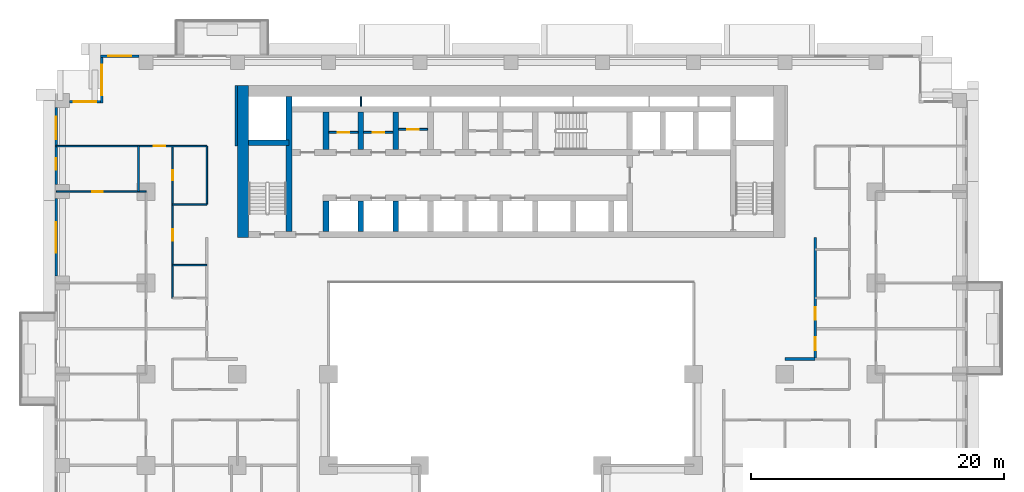
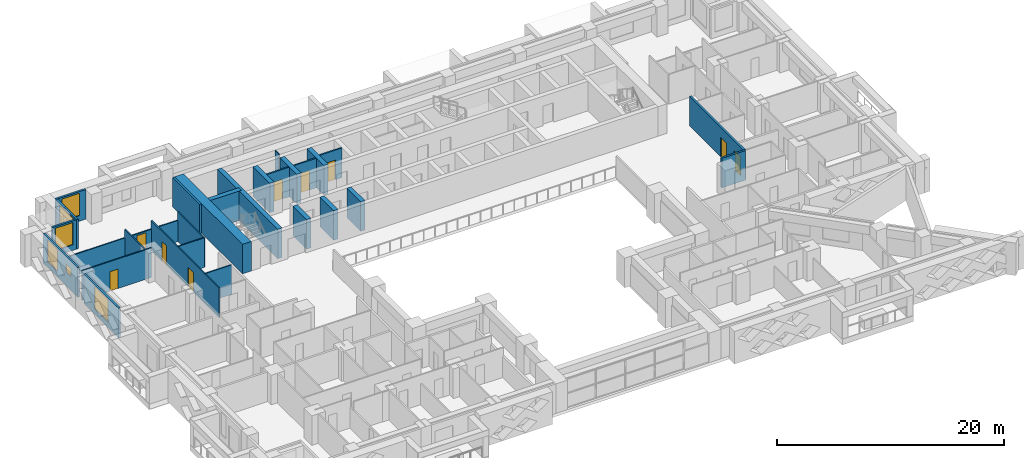
# One storey, part 9 of 17: 28 walls, 9 doors, 6 windows, 15 openings.
"""IFC4 building model written with IfcOpenShell, lengths in metres."""

import ifcopenshell
import ifcopenshell.guid

model = None  # the IFC model being written
_history = None  # IfcOwnerHistory: only IFC2X3 demands one
_inside = {}  # id of a spatial element -> (the spatial element, [elements in it])
_under = {}  # id of a project, library or spatial element -> (it, [spatial elements below it])
_declared = {}  # id of a project -> (the project, [libraries it declares])
_typed = {}  # id of a type object -> (the type object, [elements of that type])
_made_of = {}  # id of a material, layer set ... -> (it, [elements and type objects made of it])


def new_model(schema):
    """Start an empty IFC model of exactly this schema.

    Asked for "IFC4X3", IfcOpenShell would pick the latest addendum, in which some entities
    have other attributes; the version numbers below select the first issue.
    IFC2X3 requires an IfcOwnerHistory on every rooted entity: one is made here for all.
    """
    global model, _history
    if schema == "IFC4X3":
        model = ifcopenshell.file(schema_version=(4, 3, 0, 0))
    else:
        model = ifcopenshell.file(schema=schema)
    _inside.clear()
    _under.clear()
    _declared.clear()
    _typed.clear()
    _made_of.clear()
    _history = None
    if model.schema == "IFC2X3":
        org = make("IfcOrganization", Name="unknown")
        user = make(
            "IfcPersonAndOrganization",
            ThePerson=make("IfcPerson", FamilyName="unknown"),
            TheOrganization=org,
        )
        app = make(
            "IfcApplication",
            ApplicationDeveloper=org,
            Version="unknown",
            ApplicationFullName="unknown",
            ApplicationIdentifier="unknown",
        )
        _history = make(
            "IfcOwnerHistory",
            OwningUser=user,
            OwningApplication=app,
            ChangeAction="ADDED",
            CreationDate=0,
        )
    return model


def make(cls, **values):
    """One entity of the class cls with the attributes given. An attribute that is None is left unset."""
    return model.create_entity(
        cls, **{name: value for name, value in values.items() if value is not None}
    )


def rooted(cls, **values):
    """An entity with a GlobalId (a new one), such as an element, a storey or a relation."""
    return make(cls, GlobalId=ifcopenshell.guid.new(), OwnerHistory=_history, **values)


def si_unit(unit_type, name, prefix=None):
    """IfcSIUnit, for example si_unit("LENGTHUNIT", "METRE", prefix="MILLI")."""
    return make("IfcSIUnit", UnitType=unit_type, Prefix=prefix, Name=name)


def assignment(units):
    """IfcUnitAssignment: the units of a project."""
    return None if units is None else make("IfcUnitAssignment", Units=units)


def point(xyz):
    """IfcCartesianPoint."""
    return None if xyz is None else make("IfcCartesianPoint", Coordinates=xyz)


def direction(xyz):
    """IfcDirection."""
    return None if xyz is None else make("IfcDirection", DirectionRatios=xyz)


def frame(location, z_axis=None, x_axis=None):
    """IfcAxis2Placement3D, a coordinate frame: its origin and axes. An axis left out is left unset."""
    return make(
        "IfcAxis2Placement3D",
        Location=point(location),
        Axis=direction(z_axis),
        RefDirection=direction(x_axis),
    )


def frame_2d(location, x_axis=None):
    """IfcAxis2Placement2D, a coordinate frame in the plane: its origin and x axis."""
    return make(
        "IfcAxis2Placement2D", Location=point(location), RefDirection=direction(x_axis)
    )


def origin():
    """The frame at (0, 0, 0) with its axes left unset."""
    return frame((0.0, 0.0, 0.0))


def place(relative_to, where):
    """IfcLocalPlacement: puts the frame where relative to a parent placement (None: the world)."""
    return make(
        "IfcLocalPlacement", PlacementRelTo=relative_to, RelativePlacement=where
    )


def context(
    kind, dimensions, precision=None, world=None, true_north=None, identifier=None
):
    """IfcGeometricRepresentationContext, for example the 3D "Model" context."""
    return make(
        "IfcGeometricRepresentationContext",
        ContextIdentifier=identifier,
        ContextType=kind,
        CoordinateSpaceDimension=dimensions,
        Precision=precision,
        WorldCoordinateSystem=world,
        TrueNorth=true_north,
    )


def subcontext(parent, identifier, kind, view, scale=None):
    """IfcGeometricRepresentationSubContext, for example "Body" below "Model"."""
    return make(
        "IfcGeometricRepresentationSubContext",
        ContextIdentifier=identifier,
        ContextType=kind,
        ParentContext=parent,
        TargetScale=scale,
        TargetView=view,
    )


def project(units=None, contexts=None):
    """IfcProject with its units and contexts."""
    return rooted(
        "IfcProject",
        Name="project",
        RepresentationContexts=contexts,
        UnitsInContext=assignment(units),
    )


def spatial(cls, under=None, at=None, **own):
    """A site, building, storey or space (cls), placed at a placement, below another one or the project."""
    s = rooted(cls, ObjectPlacement=at, **own)
    if under is not None:
        _under.setdefault(under.id(), (under, []))[1].append(s)
    return s


def profile(cls, at=None, kind="AREA", **sizes):
    """A parametric profile (cls). Its sizes go by their IFC names, for example OverallWidth=200.0."""
    return make(cls, ProfileType=kind, Position=at, **sizes)


def rectangle(**sizes):
    """IfcRectangleProfileDef."""
    return profile("IfcRectangleProfileDef", **sizes)


def extrude(swept, where, along, depth):
    """IfcExtrudedAreaSolid: the profile swept, set in the frame where, extruded along a direction by depth."""
    return make(
        "IfcExtrudedAreaSolid",
        SweptArea=swept,
        Position=where,
        ExtrudedDirection=direction(along),
        Depth=depth,
    )


def shape(context_of_items, identifier, shape_type, items):
    """IfcShapeRepresentation: the items that make up one representation, for example the "Body"."""
    return make(
        "IfcShapeRepresentation",
        ContextOfItems=context_of_items,
        RepresentationIdentifier=identifier,
        RepresentationType=shape_type,
        Items=items,
    )


def material(Name=None, Category=None):
    """IfcMaterial."""
    return make("IfcMaterial", Name=Name, Category=Category)


def layer(
    of_material, thickness, ventilated=None, Name=None, Category=None, Priority=None
):
    """IfcMaterialLayer: one layer of a wall or slab, of a material (None: an air gap)."""
    return make(
        "IfcMaterialLayer",
        Material=of_material,
        LayerThickness=thickness,
        IsVentilated=ventilated,
        Name=Name,
        Category=Category,
        Priority=Priority,
    )


def layer_set(layers, Name=None):
    """IfcMaterialLayerSet."""
    return make("IfcMaterialLayerSet", MaterialLayers=layers, LayerSetName=Name)


def made_of(thing, what):
    """Note that an element or type object is made of a material, layer set ...; save() writes the relation."""
    if what is not None:
        _made_of.setdefault(what.id(), (what, []))[1].append(thing)
    return thing


def type_object(cls, material=None, **own):
    """A type object (cls), such as IfcWallType, which elements share."""
    return made_of(rooted(cls, **own), material)


def element(
    cls,
    number,
    at=None,
    inside=None,
    cuts=None,
    type_object=None,
    material=None,
    context=None,
    identifier="Body",
    shape_type=None,
    held_by="IfcProductDefinitionShape",
    body=None,
    shapes=None,
    **own,
):
    """One element of the class cls, such as IfcWall. Its Tag is "e" and its number.

    at: its placement. inside: the storey or other place that contains it. cuts: it is an
    opening in that element (IfcRelVoidsElement). A single representation is given by context,
    identifier, shape_type and body (its items); several are given by shapes. held_by: the class
    of the entity that holds the representations. save() writes the other relations.
    """
    e = rooted(cls, Tag="e%d" % number, ObjectPlacement=at, **own)
    if body is not None:
        shapes = [shape(context, identifier, shape_type, body)]
    if shapes is not None:
        e.Representation = make(held_by, Representations=shapes)
    if inside is not None:
        _inside.setdefault(inside.id(), (inside, []))[1].append(e)
    if cuts is not None:
        rooted(
            "IfcRelVoidsElement", RelatingBuildingElement=cuts, RelatedOpeningElement=e
        )
    if type_object is not None:
        _typed.setdefault(type_object.id(), (type_object, []))[1].append(e)
    return made_of(e, material)


def fill(opening, filler):
    """IfcRelFillsElement: the door or window that sits in an opening."""
    return rooted(
        "IfcRelFillsElement",
        RelatingOpeningElement=opening,
        RelatedBuildingElement=filler,
    )


def aggregate(whole, parts):
    """IfcRelAggregates: a whole, such as a stair, and the parts it consists of."""
    return rooted("IfcRelAggregates", RelatingObject=whole, RelatedObjects=parts)


def save(model, path):
    """Write the relations noted so far, then the file.

    IfcRelAggregates (storeys below a building ...), IfcRelContainedInSpatialStructure (elements
    in a storey), IfcRelDefinesByType, IfcRelAssociatesMaterial and IfcRelDeclares: one each for
    every whole, place, type object, material and project.
    """
    for whole, parts in _under.values():
        aggregate(whole, parts)
    for where, things in _inside.values():
        rooted(
            "IfcRelContainedInSpatialStructure",
            RelatedElements=things,
            RelatingStructure=where,
        )
    for kind, things in _typed.values():
        rooted("IfcRelDefinesByType", RelatedObjects=things, RelatingType=kind)
    for what, things in _made_of.values():
        rooted("IfcRelAssociatesMaterial", RelatedObjects=things, RelatingMaterial=what)
    for by, libraries in _declared.values():
        rooted("IfcRelDeclares", RelatingContext=by, RelatedDefinitions=libraries)
    model.write(path)


model = new_model("IFC4")

# Units and contexts
model_context = context("Model", 3, precision=1e-05, world=origin(), true_north=direction((0.0, 1.0)))
body_context = subcontext(model_context, "Body", "Model", "MODEL_VIEW")
ifc_project = project(units=[si_unit("LENGTHUNIT", "METRE"), si_unit("AREAUNIT", "SQUARE_METRE"), si_unit("VOLUMEUNIT", "CUBIC_METRE"), si_unit("PLANEANGLEUNIT", "RADIAN"), si_unit("MASSUNIT", "GRAM", prefix="KILO")], contexts=[model_context])

# Site, building, storey
site_placement = place(None, origin())
site = spatial("IfcSite", under=ifc_project, at=site_placement, CompositionType="ELEMENT")
building_placement = place(site_placement, origin())
building = spatial("IfcBuilding", under=site, at=building_placement, Name="Saffron Iwan Residences", CompositionType="ELEMENT")
storey_placement = place(building_placement, frame((0.0, 0.0, 51.5)))
storey = spatial("IfcBuildingStorey", under=building, at=storey_placement, Name="L12", CompositionType="ELEMENT", Elevation=51.5)

# Wall, opening, door
ifc_material_1 = material(Name="Fire-rated plasterboard partition")
ifc_layer_1 = layer(ifc_material_1, 0.14990234375)
ifc_layer_set_1 = layer_set([ifc_layer_1], Name="Fire-rated plasterboard partition")
wall_type_1 = type_object("IfcWallType", Name="Core partition 150", PredefinedType="PARTITIONING", material=ifc_layer_set_1)
wall_1_placement = place(storey_placement, frame((36.02490234375, 74.281982421875, 0.0), z_axis=(0.0, 0.0, 1.0), x_axis=(1.0, 0.0, 0.0)))
wall_1 = element("IfcWall", 1, at=wall_1_placement, inside=storey, type_object=wall_type_1, Name="Core partition P01", PredefinedType="PARTITIONING", context=body_context, shape_type="SweptSolid", body=[
    extrude(rectangle(XDim=2.300048828125, YDim=0.14990234375, at=frame_2d((1.14990234375, 0.0))), origin(), (0.0, 0.0, 1.0), 3.179931640625),
])
opening_1_placement = place(wall_1_placement, frame((0.699951171875, 0.0, 0.0)))
opening_1 = element("IfcOpeningElement", 2, at=opening_1_placement, cuts=wall_1, Name="Opening SB", PredefinedType="OPENING", context=body_context, shape_type="SweptSolid", body=[
    extrude(rectangle(XDim=0.89990234375, YDim=2.10009765625, at=frame_2d((0.449951171875, 1.050048828125))), frame((0.0, 0.0849609375, 0.0), z_axis=(0.0, -1.0, 0.0), x_axis=(1.0, 0.0, 0.0)), (0.0, 0.0, 1.0), 0.169921875),
])
ifc_material_2 = material(Name="Steel fire door", Category="steel")
door_type_1 = type_object("IfcDoorType", Name="Store door 900", OperationType="NOTDEFINED", PredefinedType="DOOR", material=ifc_material_2)
door_1_placement = place(opening_1_placement, origin())
door_1 = element("IfcDoor", 3, at=door_1_placement, inside=storey, type_object=door_type_1, Name="Door Tool store", OperationType="SINGLE_SWING_LEFT", OverallHeight=2.10009765625, OverallWidth=0.89990234375, PredefinedType="DOOR", context=body_context, shape_type="SweptSolid", body=[
    extrude(rectangle(XDim=0.89990234375, YDim=2.10009765625, at=frame_2d((0.449951171875, 1.050048828125))), frame((0.0, 0.02490234375, 0.0), z_axis=(0.0, -1.0, 0.0), x_axis=(1.0, 0.0, 0.0)), (0.0, 0.0, 1.0), 0.050048828125),
])
fill(opening_1, door_1)

wall_2_placement = place(storey_placement, frame((38.77490234375, 74.281982421875, 0.0), z_axis=(0.0, 0.0, 1.0), x_axis=(1.0, 0.0, 0.0)))
wall_2 = element("IfcWall", 4, at=wall_2_placement, inside=storey, type_object=wall_type_1, Name="Core partition P02", PredefinedType="PARTITIONING", context=body_context, shape_type="SweptSolid", body=[
    extrude(rectangle(XDim=2.300048828125, YDim=0.14990234375, at=frame_2d((1.14990234375, 0.0))), origin(), (0.0, 0.0, 1.0), 3.179931640625),
])
opening_2_placement = place(wall_2_placement, frame((0.699951171875, 0.0, 0.0)))
opening_2 = element("IfcOpeningElement", 5, at=opening_2_placement, cuts=wall_2, Name="Opening SB", PredefinedType="OPENING", context=body_context, shape_type="SweptSolid", body=[
    extrude(rectangle(XDim=0.89990234375, YDim=2.10009765625, at=frame_2d((0.449951171875, 1.050048828125))), frame((0.0, 0.0849609375, 0.0), z_axis=(0.0, -1.0, 0.0), x_axis=(1.0, 0.0, 0.0)), (0.0, 0.0, 1.0), 0.169921875),
])
door_2_placement = place(opening_2_placement, origin())
door_2 = element("IfcDoor", 6, at=door_2_placement, inside=storey, type_object=door_type_1, Name="Door Cabling room", OperationType="SINGLE_SWING_RIGHT", OverallHeight=2.10009765625, OverallWidth=0.89990234375, PredefinedType="DOOR", context=body_context, shape_type="SweptSolid", body=[
    extrude(rectangle(XDim=0.89990234375, YDim=2.10009765625, at=frame_2d((0.449951171875, 1.050048828125))), frame((0.0, 0.02490234375, 0.0), z_axis=(0.0, -1.0, 0.0), x_axis=(1.0, 0.0, 0.0)), (0.0, 0.0, 1.0), 0.050048828125),
])
fill(opening_2, door_2)

wall_3_placement = place(storey_placement, frame((41.52490234375, 74.51806640625, 0.0), z_axis=(0.0, 0.0, 1.0), x_axis=(1.0, 0.0, 0.0)))
wall_3 = element("IfcWall", 7, at=wall_3_placement, inside=storey, type_object=wall_type_1, Name="Core partition P03", PredefinedType="PARTITIONING", context=body_context, shape_type="SweptSolid", body=[
    extrude(rectangle(XDim=2.300048828125, YDim=0.14990234375, at=frame_2d((1.14990234375, 0.0))), origin(), (0.0, 0.0, 1.0), 3.179931640625),
])
opening_3_placement = place(wall_3_placement, frame((0.699951171875, 0.0, 0.0)))
opening_3 = element("IfcOpeningElement", 8, at=opening_3_placement, cuts=wall_3, Name="Opening SB", PredefinedType="OPENING", context=body_context, shape_type="SweptSolid", body=[
    extrude(rectangle(XDim=0.89990234375, YDim=2.10009765625, at=frame_2d((0.449951171875, 1.050048828125))), frame((0.0, 0.0849609375, 0.0), z_axis=(0.0, -1.0, 0.0), x_axis=(1.0, 0.0, 0.0)), (0.0, 0.0, 1.0), 0.169921875),
])
door_3_placement = place(opening_3_placement, origin())
door_3 = element("IfcDoor", 9, at=door_3_placement, inside=storey, type_object=door_type_1, Name="Door Equipment store", OperationType="SINGLE_SWING_RIGHT", OverallHeight=2.10009765625, OverallWidth=0.89990234375, PredefinedType="DOOR", context=body_context, shape_type="SweptSolid", body=[
    extrude(rectangle(XDim=0.89990234375, YDim=2.10009765625, at=frame_2d((0.449951171875, 1.050048828125))), frame((0.0, 0.02490234375, 0.0), z_axis=(0.0, -1.0, 0.0), x_axis=(1.0, 0.0, 0.0)), (0.0, 0.0, 1.0), 0.050048828125),
])
fill(opening_3, door_3)

# Wall, opening, window
ifc_material_3 = material(Name="Concrete C40/50", Category="concrete")
ifc_layer_2 = layer(ifc_material_3, 0.199951171875)
ifc_layer_set_2 = layer_set([ifc_layer_2], Name="Concrete C40/50")
wall_type_2 = type_object("IfcWallType", Name="EXTERNAL WALL 200", PredefinedType="SOLIDWALL", material=ifc_layer_set_2)
wall_4_placement = place(storey_placement, frame((21.050048828125, 80.300048828125, 0.0), z_axis=(0.0, 0.0, 1.0), x_axis=(-1.0, 0.0, 0.0)))
wall_4 = element("IfcWall", 10, at=wall_4_placement, inside=storey, type_object=wall_type_2, Name="External wall L12 F5.9", PredefinedType="SOLIDWALL", context=body_context, shape_type="SweptSolid", body=[
    extrude(rectangle(XDim=3.050048828125, YDim=0.199951171875, at=frame_2d((1.52490234375, 0.0))), origin(), (0.0, 0.0, 1.0), 3.179931640625),
])
opening_4_placement = place(wall_4_placement, frame((0.625, 0.0, 0.60009765625)))
opening_4 = element("IfcOpeningElement", 11, at=opening_4_placement, cuts=wall_4, Name="Opening W8", PredefinedType="OPENING", context=body_context, shape_type="SweptSolid", body=[
    extrude(rectangle(XDim=1.800048828125, YDim=2.39990234375, at=frame_2d((0.89990234375, 1.199951171875))), frame((0.0, 0.10986328125, 0.0), z_axis=(0.0, -1.0, 0.0), x_axis=(1.0, 0.0, 0.0)), (0.0, 0.0, 1.0), 0.219970703125),
])
ifc_material_4 = material(Name="Clear glass, laminated double glazed", Category="glass")
window_type_1 = type_object("IfcWindowType", Name="WINDOW 1800 x 2400", PartitioningType="DOUBLE_PANEL_VERTICAL", PredefinedType="WINDOW", material=ifc_material_4)
window_1_placement = place(opening_4_placement, origin())
window_1 = element("IfcWindow", 12, at=window_1_placement, inside=storey, type_object=window_type_1, Name="Window L12 F5.0", OverallHeight=2.39990234375, OverallWidth=1.800048828125, PartitioningType="DOUBLE_PANEL_VERTICAL", PredefinedType="WINDOW", context=body_context, shape_type="SweptSolid", body=[
    extrude(rectangle(XDim=1.800048828125, YDim=2.39990234375, at=frame_2d((0.89990234375, 1.199951171875))), frame((0.0, 0.030029296875, 0.0), z_axis=(0.0, -1.0, 0.0), x_axis=(1.0, 0.0, 0.0)), (0.0, 0.0, 1.0), 0.06005859375),
])
fill(opening_4, window_1)

wall_5_placement = place(storey_placement, frame((18.10009765625, 80.199951171875, 0.0), z_axis=(0.0, 0.0, 1.0), x_axis=(0.0, -1.0, 0.0)))
wall_5 = element("IfcWall", 13, at=wall_5_placement, inside=storey, type_object=wall_type_2, Name="External wall L12 F6.0", PredefinedType="SOLIDWALL", context=body_context, shape_type="SweptSolid", body=[
    extrude(rectangle(XDim=3.599853515625, YDim=0.199951171875, at=frame_2d((1.7998046875, 0.0))), origin(), (0.0, 0.0, 1.0), 3.179931640625),
])
opening_5_placement = place(wall_5_placement, frame((0.60009765625, 0.0, 0.60009765625)))
opening_5 = element("IfcOpeningElement", 14, at=opening_5_placement, cuts=wall_5, Name="Opening W1", PredefinedType="OPENING", context=body_context, shape_type="SweptSolid", body=[
    extrude(rectangle(XDim=2.39990234375, YDim=2.39990234375, at=frame_2d((1.199951171875, 1.199951171875))), frame((0.0, 0.10986328125, 0.0), z_axis=(0.0, -1.0, 0.0), x_axis=(1.0, 0.0, 0.0)), (0.0, 0.0, 1.0), 0.219970703125),
])
window_type_2 = type_object("IfcWindowType", Name="WINDOW 2400 x 2400", PartitioningType="DOUBLE_PANEL_VERTICAL", PredefinedType="WINDOW", material=ifc_material_4)
window_2_placement = place(opening_5_placement, origin())
window_2 = element("IfcWindow", 15, at=window_2_placement, inside=storey, type_object=window_type_2, Name="Window L12 F6.0", OverallHeight=2.39990234375, OverallWidth=2.39990234375, PartitioningType="DOUBLE_PANEL_VERTICAL", PredefinedType="WINDOW", context=body_context, shape_type="SweptSolid", body=[
    extrude(rectangle(XDim=2.39990234375, YDim=2.39990234375, at=frame_2d((1.199951171875, 1.199951171875))), frame((0.0, 0.030029296875, 0.0), z_axis=(0.0, -1.0, 0.0), x_axis=(1.0, 0.0, 0.0)), (0.0, 0.0, 1.0), 0.06005859375),
])
fill(opening_5, window_2)

wall_6_placement = place(storey_placement, frame((18.0, 76.699951171875, 0.0), z_axis=(0.0, 0.0, 1.0), x_axis=(-1.0, 0.0, 0.0)))
wall_6 = element("IfcWall", 16, at=wall_6_placement, inside=storey, type_object=wall_type_2, Name="External wall L12 F7.0", PredefinedType="SOLIDWALL", context=body_context, shape_type="SweptSolid", body=[
    extrude(rectangle(XDim=2.449951171875, YDim=0.199951171875, at=frame_2d((1.22509765625, 0.0))), origin(), (0.0, 0.0, 1.0), 3.179931640625),
])
opening_6_placement = place(wall_6_placement, frame((0.324951171875, 0.0, 0.60009765625)))
opening_6 = element("IfcOpeningElement", 17, at=opening_6_placement, cuts=wall_6, Name="Opening W8", PredefinedType="OPENING", context=body_context, shape_type="SweptSolid", body=[
    extrude(rectangle(XDim=1.800048828125, YDim=2.39990234375, at=frame_2d((0.89990234375, 1.199951171875))), frame((0.0, 0.10986328125, 0.0), z_axis=(0.0, -1.0, 0.0), x_axis=(1.0, 0.0, 0.0)), (0.0, 0.0, 1.0), 0.219970703125),
])
window_3_placement = place(opening_6_placement, origin())
window_3 = element("IfcWindow", 18, at=window_3_placement, inside=storey, type_object=window_type_1, Name="Window L12 F7.0", OverallHeight=2.39990234375, OverallWidth=1.800048828125, PartitioningType="DOUBLE_PANEL_VERTICAL", PredefinedType="WINDOW", context=body_context, shape_type="SweptSolid", body=[
    extrude(rectangle(XDim=1.800048828125, YDim=2.39990234375, at=frame_2d((0.89990234375, 1.199951171875))), frame((0.0, 0.030029296875, 0.0), z_axis=(0.0, -1.0, 0.0), x_axis=(1.0, 0.0, 0.0)), (0.0, 0.0, 1.0), 0.06005859375),
])
fill(opening_6, window_3)

# Wall, openings, windows
wall_7_placement = place(storey_placement, frame((14.5, 76.25, 0.0), z_axis=(0.0, 0.0, 1.0), x_axis=(0.0, -1.0, 0.0)))
wall_7 = element("IfcWall", 19, at=wall_7_placement, inside=storey, type_object=wall_type_2, Name="External wall L12 F8.0", PredefinedType="SOLIDWALL", context=body_context, shape_type="SweptSolid", body=[
    extrude(rectangle(XDim=6.10009765625, YDim=0.199951171875, at=frame_2d((3.050048828125, 0.0))), origin(), (0.0, 0.0, 1.0), 3.179931640625),
])
opening_7_placement = place(wall_7_placement, frame((4.02490234375, 0.0, 1.5)))
opening_7 = element("IfcOpeningElement", 20, at=opening_7_placement, cuts=wall_7, Name="Opening W6", PredefinedType="OPENING", context=body_context, shape_type="SweptSolid", body=[
    extrude(rectangle(XDim=0.89990234375, YDim=0.89990234375, at=frame_2d((0.449951171875, 0.449951171875))), frame((0.0, 0.10986328125, 0.0), z_axis=(0.0, -1.0, 0.0), x_axis=(1.0, 0.0, 0.0)), (0.0, 0.0, 1.0), 0.219970703125),
])
opening_8_placement = place(wall_7_placement, frame((0.72509765625, 0.0, 0.60009765625)))
opening_8 = element("IfcOpeningElement", 21, at=opening_8_placement, cuts=wall_7, Name="Opening W8", PredefinedType="OPENING", context=body_context, shape_type="SweptSolid", body=[
    extrude(rectangle(XDim=1.800048828125, YDim=2.39990234375, at=frame_2d((0.89990234375, 1.199951171875))), frame((0.0, 0.10986328125, 0.0), z_axis=(0.0, -1.0, 0.0), x_axis=(1.0, 0.0, 0.0)), (0.0, 0.0, 1.0), 0.219970703125),
])
window_4_placement = place(opening_8_placement, origin())
window_4 = element("IfcWindow", 22, at=window_4_placement, inside=storey, type_object=window_type_1, Name="Window L12 F8.1", OverallHeight=2.39990234375, OverallWidth=1.800048828125, PartitioningType="DOUBLE_PANEL_VERTICAL", PredefinedType="WINDOW", context=body_context, shape_type="SweptSolid", body=[
    extrude(rectangle(XDim=1.800048828125, YDim=2.39990234375, at=frame_2d((0.89990234375, 1.199951171875))), frame((0.0, 0.030029296875, 0.0), z_axis=(0.0, -1.0, 0.0), x_axis=(1.0, 0.0, 0.0)), (0.0, 0.0, 1.0), 0.06005859375),
])
fill(opening_8, window_4)
window_type_3 = type_object("IfcWindowType", Name="WINDOW 900 x 900 BATH", PartitioningType="SINGLE_PANEL", PredefinedType="WINDOW", material=ifc_material_4)
window_5_placement = place(opening_7_placement, origin())
window_5 = element("IfcWindow", 23, at=window_5_placement, inside=storey, type_object=window_type_3, Name="Window L12 F8.0", OverallHeight=0.89990234375, OverallWidth=0.89990234375, PartitioningType="SINGLE_PANEL", PredefinedType="WINDOW", context=body_context, shape_type="SweptSolid", body=[
    extrude(rectangle(XDim=0.89990234375, YDim=0.89990234375, at=frame_2d((0.449951171875, 0.449951171875))), frame((0.0, 0.030029296875, 0.0), z_axis=(0.0, -1.0, 0.0), x_axis=(1.0, 0.0, 0.0)), (0.0, 0.0, 1.0), 0.06005859375),
])
fill(opening_7, window_5)

# Wall, opening, window
wall_8_placement = place(storey_placement, frame((14.5, 69.050048828125, 0.0), z_axis=(0.0, 0.0, 1.0), x_axis=(0.0, -1.0, 0.0)))
wall_8 = element("IfcWall", 24, at=wall_8_placement, inside=storey, type_object=wall_type_2, Name="External wall L12 F8.1", PredefinedType="SOLIDWALL", context=body_context, shape_type="SweptSolid", body=[
    extrude(rectangle(XDim=6.10009765625, YDim=0.199951171875, at=frame_2d((3.050048828125, 0.0))), origin(), (0.0, 0.0, 1.0), 3.179931640625),
])
opening_9_placement = place(wall_8_placement, frame((1.85009765625, 0.0, 0.60009765625)))
opening_9 = element("IfcOpeningElement", 25, at=opening_9_placement, cuts=wall_8, Name="Opening W1", PredefinedType="OPENING", context=body_context, shape_type="SweptSolid", body=[
    extrude(rectangle(XDim=2.39990234375, YDim=2.39990234375, at=frame_2d((1.199951171875, 1.199951171875))), frame((0.0, 0.10986328125, 0.0), z_axis=(0.0, -1.0, 0.0), x_axis=(1.0, 0.0, 0.0)), (0.0, 0.0, 1.0), 0.219970703125),
])
window_6_placement = place(opening_9_placement, origin())
window_6 = element("IfcWindow", 26, at=window_6_placement, inside=storey, type_object=window_type_2, Name="Window L12 F8.0", OverallHeight=2.39990234375, OverallWidth=2.39990234375, PartitioningType="DOUBLE_PANEL_VERTICAL", PredefinedType="WINDOW", context=body_context, shape_type="SweptSolid", body=[
    extrude(rectangle(XDim=2.39990234375, YDim=2.39990234375, at=frame_2d((1.199951171875, 1.199951171875))), frame((0.0, 0.030029296875, 0.0), z_axis=(0.0, -1.0, 0.0), x_axis=(1.0, 0.0, 0.0)), (0.0, 0.0, 1.0), 0.06005859375),
])
fill(opening_9, window_6)

# Walls
ifc_material_5 = material(Name="Gypsum board partition")
ifc_layer_3 = layer(ifc_material_5, 0.1201171875)
ifc_layer_set_3 = layer_set([ifc_layer_3], Name="Gypsum board partition")
wall_type_3 = type_object("IfcWallType", Name="Flat partition 120", PredefinedType="PARTITIONING", material=ifc_layer_set_3)
for number, where, z_axis, x_axis, name in (
    (27, (23.699951171875, 63.800048828125, 0.0), (0.0, 0.0, 1.0), (1.0, 0.0, 0.0), "W-L12-PART-h63.8-23.7"),
    (28, (23.699951171875, 68.60009765625, 0.0), (0.0, 0.0, 1.0), (1.0, 0.0, 0.0), "W-L12-PART-h68.6-23.7"),
):
    element("IfcWall", number, at=place(storey_placement, frame(where, z_axis=z_axis, x_axis=x_axis)), inside=storey, type_object=wall_type_3, Name=name, PredefinedType="PARTITIONING", context=body_context, shape_type="SweptSolid", body=[
        extrude(rectangle(XDim=2.699951171875, YDim=0.1201171875, at=frame_2d((1.35009765625, 0.0))), origin(), (0.0, 0.0, 1.0), 3.179931640625),
    ])

# Wall, opening, door
wall_9_placement = place(storey_placement, frame((14.52490234375, 69.60009765625, 0.0), z_axis=(0.0, 0.0, 1.0), x_axis=(1.0, 0.0, 0.0)))
wall_9 = element("IfcWall", 29, at=wall_9_placement, inside=storey, type_object=wall_type_3, Name="W-L12-PART-h69.6-14.525", PredefinedType="PARTITIONING", context=body_context, shape_type="SweptSolid", body=[
    extrude(rectangle(XDim=7.0751953125, YDim=0.1201171875, at=frame_2d((3.53759765625, 0.0))), origin(), (0.0, 0.0, 1.0), 3.179931640625),
])
opening_10_placement = place(wall_9_placement, frame((2.83740234375, 0.0, 0.0)))
opening_10 = element("IfcOpeningElement", 30, at=opening_10_placement, cuts=wall_9, Name="Opening FD3", PredefinedType="OPENING", context=body_context, shape_type="SweptSolid", body=[
    extrude(rectangle(XDim=0.800048828125, YDim=2.10009765625, at=frame_2d((0.39990234375, 1.050048828125))), frame((0.0, 0.070068359375, 0.0), z_axis=(0.0, -1.0, 0.0), x_axis=(1.0, 0.0, 0.0)), (0.0, 0.0, 1.0), 0.14013671875),
])
ifc_material_6 = material(Name="Timber door", Category="wood")
door_type_2 = type_object("IfcDoorType", Name="Bathroom door 800", OperationType="NOTDEFINED", PredefinedType="DOOR", material=ifc_material_6)
door_4_placement = place(opening_10_placement, origin())
door_4 = element("IfcDoor", 31, at=door_4_placement, inside=storey, type_object=door_type_2, Name="Door L12-031", OperationType="SINGLE_SWING_RIGHT", OverallHeight=2.10009765625, OverallWidth=0.800048828125, PredefinedType="DOOR", context=body_context, shape_type="SweptSolid", body=[
    extrude(rectangle(XDim=0.800048828125, YDim=2.10009765625, at=frame_2d((0.39990234375, 1.050048828125))), frame((0.0, 0.02490234375, 0.0), z_axis=(0.0, -1.0, 0.0), x_axis=(1.0, 0.0, 0.0)), (0.0, 0.0, 1.0), 0.050048828125),
])
fill(opening_10, door_4)

wall_10_placement = place(storey_placement, frame((14.52490234375, 73.199951171875, 0.0), z_axis=(0.0, 0.0, 1.0), x_axis=(1.0, 0.0, 0.0)))
wall_10 = element("IfcWall", 32, at=wall_10_placement, inside=storey, type_object=wall_type_3, Name="W-L12-PART-h73.2-14.525", PredefinedType="PARTITIONING", context=body_context, shape_type="SweptSolid", body=[
    extrude(rectangle(XDim=11.875, YDim=0.1201171875, at=frame_2d((5.9375, 0.0))), origin(), (0.0, 0.0, 1.0), 2.280029296875),
])
opening_11_placement = place(wall_10_placement, frame((7.675048828125, 0.0, 0.0)))
opening_11 = element("IfcOpeningElement", 33, at=opening_11_placement, cuts=wall_10, Name="Opening FD2", PredefinedType="OPENING", context=body_context, shape_type="SweptSolid", body=[
    extrude(rectangle(XDim=0.89990234375, YDim=2.10009765625, at=frame_2d((0.449951171875, 1.050048828125))), frame((0.0, 0.070068359375, 0.0), z_axis=(0.0, -1.0, 0.0), x_axis=(1.0, 0.0, 0.0)), (0.0, 0.0, 1.0), 0.14013671875),
])
door_type_3 = type_object("IfcDoorType", Name="Flat door 900", OperationType="NOTDEFINED", PredefinedType="DOOR", material=ifc_material_6)
door_5_placement = place(opening_11_placement, origin())
door_5 = element("IfcDoor", 34, at=door_5_placement, inside=storey, type_object=door_type_3, Name="Door L12-032", OperationType="SINGLE_SWING_LEFT", OverallHeight=2.10009765625, OverallWidth=0.89990234375, PredefinedType="DOOR", context=body_context, shape_type="SweptSolid", body=[
    extrude(rectangle(XDim=0.89990234375, YDim=2.10009765625, at=frame_2d((0.449951171875, 1.050048828125))), frame((0.0, 0.02490234375, 0.0), z_axis=(0.0, -1.0, 0.0), x_axis=(1.0, 0.0, 0.0)), (0.0, 0.0, 1.0), 0.050048828125),
])
fill(opening_11, door_5)

# Wall
wall_11_placement = place(storey_placement, frame((21.0, 69.60009765625, 0.0), z_axis=(0.0, 0.0, 1.0), x_axis=(0.0, 1.0, 0.0)))
element("IfcWall", 35, at=wall_11_placement, inside=storey, type_object=wall_type_3, Name="W-L12-PART-v21-69.6", PredefinedType="PARTITIONING", context=body_context, shape_type="SweptSolid", body=[
    extrude(rectangle(XDim=3.599853515625, YDim=0.1201171875, at=frame_2d((1.7998046875, 0.0))), origin(), (0.0, 0.0, 1.0), 3.179931640625),
])

# Wall, openings, doors
wall_12_placement = place(storey_placement, frame((23.699951171875, 61.199951171875, 0.0), z_axis=(0.0, 0.0, 1.0), x_axis=(0.0, 1.0, 0.0)))
wall_12 = element("IfcWall", 36, at=wall_12_placement, inside=storey, type_object=wall_type_3, Name="W-L12-PART-v23.7-61.2", PredefinedType="PARTITIONING", context=body_context, shape_type="SweptSolid", body=[
    extrude(rectangle(XDim=12.0, YDim=0.1201171875, at=frame_2d((6.0, 0.0))), origin(), (0.0, 0.0, 1.0), 3.179931640625),
])
opening_12_placement = place(wall_12_placement, frame((4.550048828125, 0.0, 0.0)))
opening_12 = element("IfcOpeningElement", 37, at=opening_12_placement, cuts=wall_12, Name="Opening FD2", PredefinedType="OPENING", context=body_context, shape_type="SweptSolid", body=[
    extrude(rectangle(XDim=0.89990234375, YDim=2.10009765625, at=frame_2d((0.449951171875, 1.050048828125))), frame((0.0, 0.070068359375, 0.0), z_axis=(0.0, -1.0, 0.0), x_axis=(1.0, 0.0, 0.0)), (0.0, 0.0, 1.0), 0.14013671875),
])
opening_13_placement = place(wall_12_placement, frame((9.300048828125, 0.0, 0.0)))
opening_13 = element("IfcOpeningElement", 38, at=opening_13_placement, cuts=wall_12, Name="Opening FD3", PredefinedType="OPENING", context=body_context, shape_type="SweptSolid", body=[
    extrude(rectangle(XDim=0.800048828125, YDim=2.10009765625, at=frame_2d((0.39990234375, 1.050048828125))), frame((0.0, 0.070068359375, 0.0), z_axis=(0.0, -1.0, 0.0), x_axis=(1.0, 0.0, 0.0)), (0.0, 0.0, 1.0), 0.14013671875),
])
door_6_placement = place(opening_13_placement, origin())
door_6 = element("IfcDoor", 39, at=door_6_placement, inside=storey, type_object=door_type_2, Name="Door L12-035", OperationType="SINGLE_SWING_LEFT", OverallHeight=2.10009765625, OverallWidth=0.800048828125, PredefinedType="DOOR", context=body_context, shape_type="SweptSolid", body=[
    extrude(rectangle(XDim=0.800048828125, YDim=2.10009765625, at=frame_2d((0.39990234375, 1.050048828125))), frame((0.0, 0.02490234375, 0.0), z_axis=(0.0, -1.0, 0.0), x_axis=(1.0, 0.0, 0.0)), (0.0, 0.0, 1.0), 0.050048828125),
])
fill(opening_13, door_6)
door_7_placement = place(opening_12_placement, origin())
door_7 = element("IfcDoor", 40, at=door_7_placement, inside=storey, type_object=door_type_3, Name="Door L12-034", OperationType="SINGLE_SWING_RIGHT", OverallHeight=2.10009765625, OverallWidth=0.89990234375, PredefinedType="DOOR", context=body_context, shape_type="SweptSolid", body=[
    extrude(rectangle(XDim=0.89990234375, YDim=2.10009765625, at=frame_2d((0.449951171875, 1.050048828125))), frame((0.0, 0.02490234375, 0.0), z_axis=(0.0, -1.0, 0.0), x_axis=(1.0, 0.0, 0.0)), (0.0, 0.0, 1.0), 0.050048828125),
])
fill(opening_12, door_7)

# Walls
wall_13_placement = place(storey_placement, frame((26.39990234375, 68.60009765625, 0.0), z_axis=(0.0, 0.0, 1.0), x_axis=(0.0, 1.0, 0.0)))
element("IfcWall", 41, at=wall_13_placement, inside=storey, type_object=wall_type_3, Name="W-L12-PART-v26.4-68.6", PredefinedType="PARTITIONING", context=body_context, shape_type="SweptSolid", body=[
    extrude(rectangle(XDim=4.599853515625, YDim=0.1201171875, at=frame_2d((2.2998046875, 0.0))), origin(), (0.0, 0.0, 1.0), 3.179931640625),
])
ifc_material_7 = material(Name="Fire-rated gypsum board wall")
ifc_layer_4 = layer(ifc_material_7, 0.199951171875)
ifc_layer_set_4 = layer_set([ifc_layer_4], Name="Fire-rated gypsum board wall")
wall_type_4 = type_object("IfcWallType", Name="Gallery wall 200", PredefinedType="SOLIDWALL", material=ifc_layer_set_4)
wall_14_placement = place(storey_placement, frame((72.0, 56.39990234375, 0.0), z_axis=(0.0, 0.0, 1.0), x_axis=(1.0, 0.0, 0.0)))
element("IfcWall", 42, at=wall_14_placement, inside=storey, type_object=wall_type_4, Name="W-L12-CORR-h56.4-72", PredefinedType="SOLIDWALL", context=body_context, shape_type="SweptSolid", body=[
    extrude(rectangle(XDim=2.39990234375, YDim=0.199951171875, at=frame_2d((1.199951171875, 0.0))), origin(), (0.0, 0.0, 1.0), 3.179931640625),
])
wall_15_placement = place(storey_placement, frame((28.699951171875, 73.199951171875, 0.0), z_axis=(0.0, 0.0, 1.0), x_axis=(0.0, 1.0, 0.0)))
element("IfcWall", 43, at=wall_15_placement, inside=storey, type_object=wall_type_4, Name="W-L12-CORR-v28.8-73.2", PredefinedType="SOLIDWALL", context=body_context, shape_type="SweptSolid", body=[
    extrude(rectangle(XDim=4.800048828125, YDim=0.199951171875, at=frame_2d((2.39990234375, 0.0))), origin(), (0.0, 0.0, 1.0), 3.179931640625),
])

# Wall, openings, doors
wall_16_placement = place(storey_placement, frame((74.39990234375, 56.39990234375, 0.0), z_axis=(0.0, 0.0, 1.0), x_axis=(0.0, 1.0, 0.0)))
wall_16 = element("IfcWall", 44, at=wall_16_placement, inside=storey, type_object=wall_type_4, Name="W-L12-CORR-v74.4-56.4", PredefinedType="SOLIDWALL", context=body_context, shape_type="SweptSolid", body=[
    extrude(rectangle(XDim=9.60009765625, YDim=0.199951171875, at=frame_2d((4.800048828125, 0.0))), origin(), (0.0, 0.0, 1.0), 3.179931640625),
])
opening_14_placement = place(wall_16_placement, frame((0.699951171875, 0.0, 0.0)))
opening_14 = element("IfcOpeningElement", 45, at=opening_14_placement, cuts=wall_16, Name="Opening FD1", PredefinedType="OPENING", context=body_context, shape_type="SweptSolid", body=[
    extrude(rectangle(XDim=1.0, YDim=2.10009765625, at=frame_2d((0.5, 1.050048828125))), frame((0.0, 0.10986328125, 0.0), z_axis=(0.0, -1.0, 0.0), x_axis=(1.0, 0.0, 0.0)), (0.0, 0.0, 1.0), 0.219970703125),
])
opening_15_placement = place(wall_16_placement, frame((3.10009765625, 0.0, 0.0)))
opening_15 = element("IfcOpeningElement", 46, at=opening_15_placement, cuts=wall_16, Name="Opening FD1", PredefinedType="OPENING", context=body_context, shape_type="SweptSolid", body=[
    extrude(rectangle(XDim=1.0, YDim=2.10009765625, at=frame_2d((0.5, 1.050048828125))), frame((0.0, 0.10986328125, 0.0), z_axis=(0.0, -1.0, 0.0), x_axis=(1.0, 0.0, 0.0)), (0.0, 0.0, 1.0), 0.219970703125),
])
ifc_material_8 = material(Name="Fire-rated timber door", Category="wood")
door_type_4 = type_object("IfcDoorType", Name="FD30S flat entrance door 1000", OperationType="NOTDEFINED", PredefinedType="DOOR", material=ifc_material_8)
door_8_placement = place(opening_14_placement, origin())
door_8 = element("IfcDoor", 47, at=door_8_placement, inside=storey, type_object=door_type_4, Name="Door L12-021", OperationType="SINGLE_SWING_LEFT", OverallHeight=2.10009765625, OverallWidth=1.0, PredefinedType="DOOR", context=body_context, shape_type="SweptSolid", body=[
    extrude(rectangle(XDim=1.0, YDim=2.10009765625, at=frame_2d((0.5, 1.050048828125))), frame((0.0, 0.02490234375, 0.0), z_axis=(0.0, -1.0, 0.0), x_axis=(1.0, 0.0, 0.0)), (0.0, 0.0, 1.0), 0.050048828125),
])
fill(opening_14, door_8)
door_9_placement = place(opening_15_placement, origin())
door_9 = element("IfcDoor", 48, at=door_9_placement, inside=storey, type_object=door_type_4, Name="Door L12-036", OperationType="SINGLE_SWING_LEFT", OverallHeight=2.10009765625, OverallWidth=1.0, PredefinedType="DOOR", context=body_context, shape_type="SweptSolid", body=[
    extrude(rectangle(XDim=1.0, YDim=2.10009765625, at=frame_2d((0.5, 1.050048828125))), frame((0.0, 0.02490234375, 0.0), z_axis=(0.0, -1.0, 0.0), x_axis=(1.0, 0.0, 0.0)), (0.0, 0.0, 1.0), 0.050048828125),
])
fill(opening_15, door_9)

# Walls
ifc_layer_5 = layer(ifc_material_1, 0.10009765625)
ifc_layer_set_5 = layer_set([ifc_layer_5], Name="Fire-rated plasterboard partition")
wall_type_5 = type_object("IfcWallType", Name="Riser partition 100", PredefinedType="PARTITIONING", material=ifc_layer_set_5)
wall_17_placement = place(storey_placement, frame((38.550048828125, 76.324951171875, 0.0), z_axis=(0.0, 0.0, 1.0), x_axis=(0.0, 1.0, 0.0)))
element("IfcWall", 49, at=wall_17_placement, inside=storey, type_object=wall_type_5, Name="Core partition P06", PredefinedType="PARTITIONING", context=body_context, shape_type="SweptSolid", body=[
    extrude(rectangle(XDim=0.775146484375, YDim=0.10009765625, at=frame_2d((0.3876953125, 0.0))), origin(), (0.0, 0.0, 1.0), 3.179931640625),
])
ifc_material_9 = material(Name="Concrete C60/75", Category="concrete")
ifc_layer_6 = layer(ifc_material_9, 0.449951171875)
ifc_layer_set_6 = layer_set([ifc_layer_6], Name="Concrete C60/75")
wall_type_6 = type_object("IfcWallType", Name="WALL CORE 450 C60/75 3180 HIGH", PredefinedType="SHEAR", material=ifc_layer_set_6)
wall_18_placement = place(storey_placement, frame((29.699951171875, 73.47509765625, 0.0), z_axis=(0.0, 0.0, 1.0), x_axis=(1.0, 0.0, 0.0)))
element("IfcWall", 50, at=wall_18_placement, inside=storey, type_object=wall_type_6, Name="Core wall", PredefinedType="SHEAR", context=body_context, shape_type="SweptSolid", body=[
    extrude(rectangle(XDim=3.175048828125, YDim=0.449951171875, at=frame_2d((1.58740234375, 0.0))), origin(), (0.0, 0.0, 1.0), 3.179931640625),
])
wall_19_placement = place(storey_placement, frame((32.875, 66.449951171875, 0.0), z_axis=(0.0, 0.0, 1.0), x_axis=(0.0, 1.0, 0.0)))
element("IfcWall", 51, at=wall_19_placement, inside=storey, type_object=wall_type_6, Name="Core wall", PredefinedType="SHEAR", context=body_context, shape_type="SweptSolid", body=[
    extrude(rectangle(XDim=10.650146484375, YDim=0.449951171875, at=frame_2d((5.3251953125, 0.0))), origin(), (0.0, 0.0, 1.0), 3.179931640625),
])
for number, where, z_axis, x_axis, name in (
    (52, (35.800048828125, 66.449951171875, 0.0), (0.0, 0.0, 1.0), (0.0, 1.0, 0.0), "Core wall"),
    (53, (38.550048828125, 66.449951171875, 0.0), (0.0, 0.0, 1.0), (0.0, 1.0, 0.0), "Core wall"),
    (54, (41.300048828125, 66.449951171875, 0.0), (0.0, 0.0, 1.0), (0.0, 1.0, 0.0), "Core wall"),
):
    element("IfcWall", number, at=place(storey_placement, frame(where, z_axis=z_axis, x_axis=x_axis)), inside=storey, type_object=wall_type_6, Name=name, PredefinedType="SHEAR", context=body_context, shape_type="SweptSolid", body=[
        extrude(rectangle(XDim=2.425048828125, YDim=0.449951171875, at=frame_2d((1.21240234375, 0.0))), origin(), (0.0, 0.0, 1.0), 3.179931640625),
    ])
for number, where, z_axis, x_axis, name in (
    (55, (35.800048828125, 72.925048828125, 0.0), (0.0, 0.0, 1.0), (0.0, 1.0, 0.0), "Core wall"),
    (56, (38.550048828125, 72.925048828125, 0.0), (0.0, 0.0, 1.0), (0.0, 1.0, 0.0), "Core wall"),
    (57, (41.300048828125, 72.925048828125, 0.0), (0.0, 0.0, 1.0), (0.0, 1.0, 0.0), "Core wall"),
):
    element("IfcWall", number, at=place(storey_placement, frame(where, z_axis=z_axis, x_axis=x_axis)), inside=storey, type_object=wall_type_6, Name=name, PredefinedType="SHEAR", context=body_context, shape_type="SweptSolid", body=[
        extrude(rectangle(XDim=2.949951171875, YDim=0.449951171875, at=frame_2d((1.47509765625, 0.0))), origin(), (0.0, 0.0, 1.0), 3.179931640625),
    ])
ifc_layer_7 = layer(ifc_material_9, 0.89990234375)
ifc_layer_set_7 = layer_set([ifc_layer_7], Name="Concrete C60/75")
wall_type_7 = type_object("IfcWallType", Name="WALL CORE 900 C60/75 3180 HIGH", PredefinedType="SHEAR", material=ifc_layer_set_7)
wall_20_placement = place(storey_placement, frame((29.25, 66.0, 0.0), z_axis=(0.0, 0.0, 1.0), x_axis=(0.0, 1.0, 0.0)))
element("IfcWall", 58, at=wall_20_placement, inside=storey, type_object=wall_type_7, Name="Core wall", PredefinedType="SHEAR", context=body_context, shape_type="SweptSolid", body=[
    extrude(rectangle(XDim=12.0, YDim=0.89990234375, at=frame_2d((6.0, 0.0))), origin(), (0.0, 0.0, 1.0), 3.179931640625),
])

save(model, "model.ifc")
